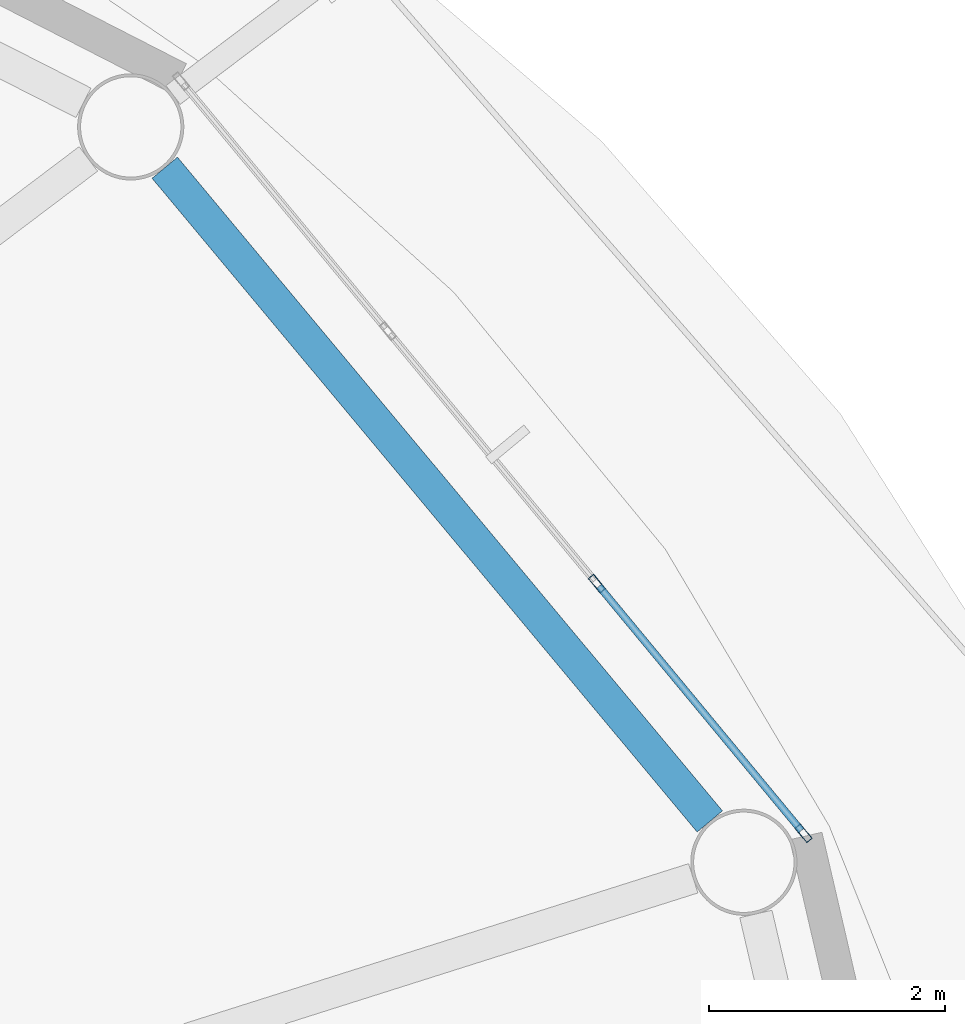
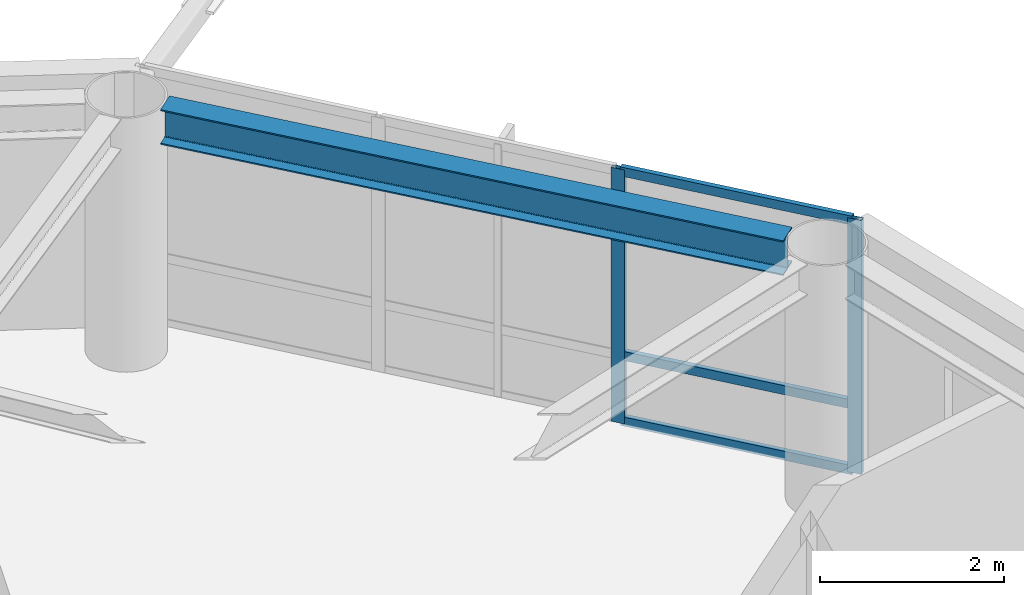
# One storey, part 7 of 21: 5 members, 1 beam, 1 element without a shape of its own.
"""IFC4 building model written with IfcOpenShell, lengths in metres."""

from ifc_helpers import new_model, si_unit, direction, frame, origin, origin_2d, place, context, subcontext, project, spatial, hollow_rectangle, i_section, extrude, material, layer, layer_set, material_profile, profile_set, type_object, element, aggregate, save


model = new_model("IFC4")

# Units and contexts
model_context = context("Model", 3, precision=1e-05, world=origin(), true_north=direction((0.0, 1.0)))
body_context = subcontext(model_context, "Body", "Model", "MODEL_VIEW")
ifc_project = project(units=[si_unit("LENGTHUNIT", "METRE"), si_unit("AREAUNIT", "SQUARE_METRE"), si_unit("VOLUMEUNIT", "CUBIC_METRE"), si_unit("PLANEANGLEUNIT", "RADIAN"), si_unit("MASSUNIT", "GRAM", prefix="KILO")], contexts=[model_context])

# Site, building, storey
site_placement = place(None, origin())
site = spatial("IfcSite", under=ifc_project, at=site_placement, CompositionType="ELEMENT")
building_placement = place(site_placement, origin())
building = spatial("IfcBuilding", under=site, at=building_placement, Name="Sarneth Arch Tower", CompositionType="ELEMENT")
storey_placement = place(building_placement, frame((0.0, 0.0, 309.0)))
storey = spatial("IfcBuildingStorey", under=building, at=storey_placement, Name="L80", CompositionType="ELEMENT", Elevation=309.0)

# Beam
ifc_material_1 = material(Name="Steel S355", Category="steel")
ifc_material_profile_1 = material_profile(ifc_material_1, i_section(OverallWidth=0.280029296875, OverallDepth=0.462890625, WebThickness=0.0107421875, FlangeThickness=0.017333984375, FilletRadius=0.01806640625, at=origin_2d()), Name="W460x113")
ifc_profile_set_1 = profile_set([ifc_material_profile_1], Name="Steel S355")
beam_type = type_object("IfcBeamType", Name="BM-RAD-460A", PredefinedType="BEAM", material=ifc_profile_set_1)
beam_placement = place(storey_placement, frame((70.880615234375, 49.693115234375, 3.138427734375), z_axis=(-0.640390876881, 0.768049168222, 0.0), x_axis=(-0.768049168222, -0.640390876881, 0.0)))
element("IfcBeam", 1, at=beam_placement, inside=storey, type_object=beam_type, Name="L80 Perimeter spandrel beam 02", PredefinedType="BEAM", context=body_context, shape_type="SweptSolid", body=[
    extrude(i_section(OverallWidth=0.280029296875, OverallDepth=0.462890625, WebThickness=0.0107421875, FlangeThickness=0.017333984375, FilletRadius=0.01806640625, at=origin_2d()), origin(), (0.0, 0.0, 1.0), 7.2099609375),
])

# Curtain wall, members
ifc_material_2 = material(Name="Anodised aluminium Type AA25 and solar-control low-e laminated IGU", Category="aluminium")
ifc_layer = layer(ifc_material_2, 0.179931640625)
ifc_layer_set = layer_set([ifc_layer], Name="Anodised aluminium Type AA25 and solar-control low-e laminated IGU")
curtain_wall_type = type_object("IfcCurtainWallType", Name="CW-RES-HIGH", PredefinedType="NOTDEFINED", material=ifc_layer_set)
curtain_wall_placement = place(storey_placement, origin())
curtain_wall = element("IfcCurtainWall", 2, at=curtain_wall_placement, inside=storey, type_object=curtain_wall_type, Name="L80 Unitised curtain wall facet 02", PredefinedType="NOTDEFINED")
ifc_material_3 = material(Name="Anodised Aluminium 6063-T6", Category="aluminium")
ifc_material_profile_2 = material_profile(ifc_material_3, hollow_rectangle(XDim=0.06005859375, YDim=0.159912109375, WallThickness=0.00390625, at=origin_2d()), Name="AL-MULL-160x60x4")
ifc_profile_set_2 = profile_set([ifc_material_profile_2], Name="Anodised Aluminium 6063-T6")
member_type_1 = type_object("IfcMemberType", Name="CW-MULLION", PredefinedType="MULLION", material=ifc_profile_set_2)
member_1_placement = place(storey_placement, frame((71.674560546875, 49.592529296875, 0.0), z_axis=(0.0, 0.0, 1.0), x_axis=(-0.770359245933, -0.637610094184, 0.0)))
member_1 = element("IfcMember", 3, at=member_1_placement, type_object=member_type_1, Name="CW-SYS-6 mullion 1", PredefinedType="MULLION", context=body_context, shape_type="SweptSolid", body=[
    extrude(hollow_rectangle(XDim=0.06005859375, YDim=0.159912109375, WallThickness=0.00390625, at=origin_2d()), origin(), (0.0, 0.0, 1.0), 3.3701171875),
])
member_2_placement = place(storey_placement, frame((69.92333984375, 51.70849609375, 0.0), z_axis=(0.0, 0.0, 1.0), x_axis=(-0.770359245933, -0.637610094184, 0.0)))
member_2 = element("IfcMember", 4, at=member_2_placement, type_object=member_type_1, Name="CW-SYS-6 mullion 2", PredefinedType="MULLION", context=body_context, shape_type="SweptSolid", body=[
    extrude(hollow_rectangle(XDim=0.06005859375, YDim=0.159912109375, WallThickness=0.00390625, at=origin_2d()), origin(), (0.0, 0.0, 1.0), 3.3701171875),
])
ifc_material_4 = material(Name="Anodised Aluminium 6063-T6", Category="aluminium")
ifc_material_profile_3 = material_profile(ifc_material_4, hollow_rectangle(XDim=0.06005859375, YDim=0.1201171875, WallThickness=0.00390625, at=origin_2d()), Name="AL-TRAN-120x60x4")
ifc_profile_set_3 = profile_set([ifc_material_profile_3], Name="Anodised Aluminium 6063-T6")
member_type_2 = type_object("IfcMemberType", Name="CW-TRANSOM", PredefinedType="USERDEFINED", material=ifc_profile_set_3)
member_3_placement = place(storey_placement, frame((71.655517578125, 49.61572265625, 0.030029296875), z_axis=(-0.637651400067, 0.770325056059, 0.0), x_axis=(-0.770325056059, -0.637651400067, 0.0)))
member_3 = element("IfcMember", 5, at=member_3_placement, type_object=member_type_2, Name="CW-SYS-6 transom 1.1", ObjectType="TRANSOM", PredefinedType="USERDEFINED", context=body_context, shape_type="SweptSolid", body=[
    extrude(hollow_rectangle(XDim=0.06005859375, YDim=0.1201171875, WallThickness=0.00390625, at=origin_2d()), origin(), (0.0, 0.0, 1.0), 2.6865234375),
])
member_4_placement = place(storey_placement, frame((71.655517578125, 49.61572265625, 0.89990234375), z_axis=(-0.637651400067, 0.770325056059, 0.0), x_axis=(-0.770325056059, -0.637651400067, 0.0)))
member_4 = element("IfcMember", 6, at=member_4_placement, type_object=member_type_2, Name="CW-SYS-6 transom 1.2", ObjectType="TRANSOM", PredefinedType="USERDEFINED", context=body_context, shape_type="SweptSolid", body=[
    extrude(hollow_rectangle(XDim=0.06005859375, YDim=0.1201171875, WallThickness=0.00390625, at=origin_2d()), origin(), (0.0, 0.0, 1.0), 2.6865234375),
])
member_5_placement = place(storey_placement, frame((71.655517578125, 49.61572265625, 3.340087890625), z_axis=(-0.637651400067, 0.770325056059, 0.0), x_axis=(-0.770325056059, -0.637651400067, 0.0)))
member_5 = element("IfcMember", 7, at=member_5_placement, type_object=member_type_2, Name="CW-SYS-6 transom 1.3", ObjectType="TRANSOM", PredefinedType="USERDEFINED", context=body_context, shape_type="SweptSolid", body=[
    extrude(hollow_rectangle(XDim=0.06005859375, YDim=0.1201171875, WallThickness=0.00390625, at=origin_2d()), origin(), (0.0, 0.0, 1.0), 2.6865234375),
])
aggregate(curtain_wall, [member_1, member_2, member_3, member_4, member_5])

save(model, "model.ifc")
